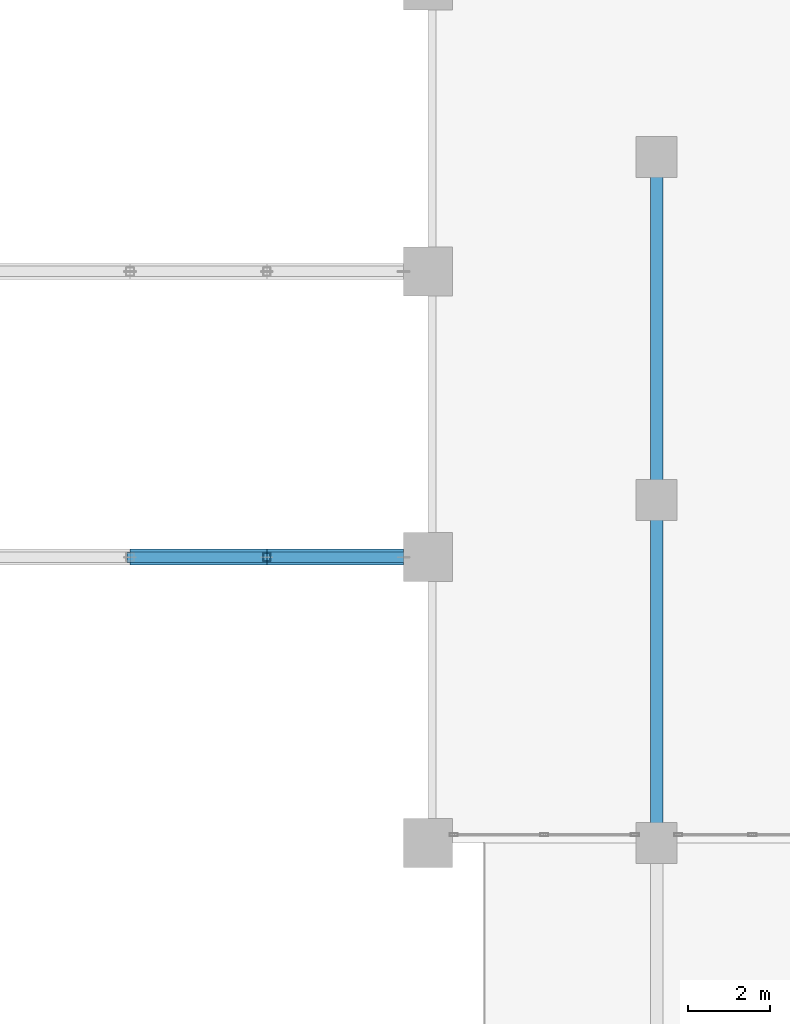
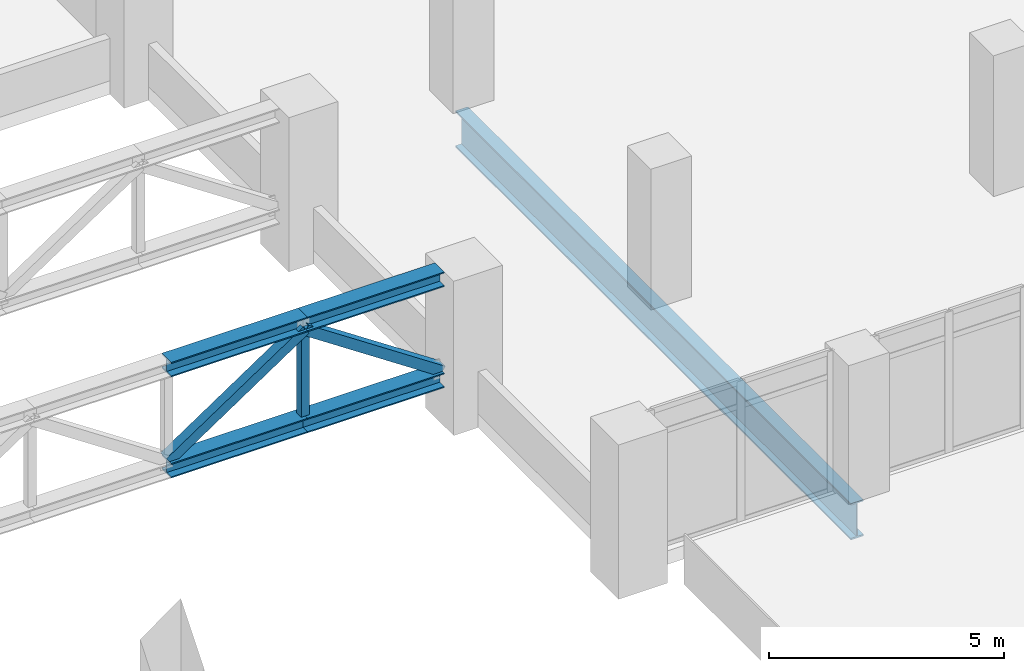
# One storey, part 4 of 24: 7 members, 1 beam.
"""IFC4 building model written with IfcOpenShell, lengths in metres."""

from ifc_helpers import new_model, si_unit, direction, frame, origin, origin_2d, place, context, subcontext, project, spatial, hollow_rectangle, i_section, extrude, material, material_profile, profile_set, type_object, element, save


model = new_model("IFC4")

# Units and contexts
model_context = context("Model", 3, precision=1e-05, world=origin(), true_north=direction((0.0, 1.0)))
body_context = subcontext(model_context, "Body", "Model", "MODEL_VIEW")
ifc_project = project(units=[si_unit("LENGTHUNIT", "METRE"), si_unit("AREAUNIT", "SQUARE_METRE"), si_unit("VOLUMEUNIT", "CUBIC_METRE"), si_unit("PLANEANGLEUNIT", "RADIAN"), si_unit("MASSUNIT", "GRAM", prefix="KILO")], contexts=[model_context])

# Site, building, storey
site_placement = place(None, origin())
site = spatial("IfcSite", under=ifc_project, at=site_placement, CompositionType="ELEMENT")
building_placement = place(site_placement, origin())
building = spatial("IfcBuilding", under=site, at=building_placement, Name="Ostrander Bayou Hotel Tower", CompositionType="ELEMENT")
storey_placement = place(building_placement, frame((0.0, 0.0, 6.0)))
storey = spatial("IfcBuildingStorey", under=building, at=storey_placement, Name="L01", CompositionType="ELEMENT", Elevation=6.0)

# Members
ifc_material_1 = material(Name="Steel ASTM A992", Category="steel")
ifc_material_profile_1 = material_profile(ifc_material_1, i_section(OverallWidth=0.3955078125, OverallDepth=0.38037109375, WebThickness=0.01904296875, FlangeThickness=0.0302734375, at=origin_2d()))
ifc_profile_set_1 = profile_set([ifc_material_profile_1], Name="Steel ASTM A992")
member_type_1 = type_object("IfcMemberType", Name="BR1 ballroom truss chord W14x159", PredefinedType="CHORD", material=ifc_profile_set_1)
for number, where, z_axis, x_axis, name in (
    (1, (-21.300048828125, -43.39990234375, 0.840087890625), (1.0, 0.0, 0.0), (0.0, 1.0, 0.0), "BR1 T1 B7"),
    (2, (-21.300048828125, -43.39990234375, 3.459716796875), (1.0, 0.0, 0.0), (0.0, 1.0, 0.0), "BR1 T1 T7"),
):
    element("IfcMember", number, at=place(storey_placement, frame(where, z_axis=z_axis, x_axis=x_axis)), inside=storey, type_object=member_type_1, Name=name, PredefinedType="CHORD", context=body_context, shape_type="SweptSolid", body=[
        extrude(i_section(OverallWidth=0.3955078125, OverallDepth=0.38037109375, WebThickness=0.01904296875, FlangeThickness=0.0302734375, at=origin_2d()), origin(), (0.0, 0.0, 1.0), 3.35009765625),
    ])
for number, where, z_axis, x_axis, name in (
    (3, (-17.949951171875, -43.39990234375, 0.840087890625), (1.0, 0.0, 0.0), (0.0, 1.0, 0.0), "BR1 T1 B8"),
    (4, (-17.949951171875, -43.39990234375, 3.459716796875), (1.0, 0.0, 0.0), (0.0, 1.0, 0.0), "BR1 T1 T8"),
):
    element("IfcMember", number, at=place(storey_placement, frame(where, z_axis=z_axis, x_axis=x_axis)), inside=storey, type_object=member_type_1, Name=name, PredefinedType="CHORD", context=body_context, shape_type="SweptSolid", body=[
        extrude(i_section(OverallWidth=0.3955078125, OverallDepth=0.38037109375, WebThickness=0.01904296875, FlangeThickness=0.0302734375, at=origin_2d()), origin(), (0.0, 0.0, 1.0), 3.349853515625),
    ])
ifc_material_2 = material(Name="Steel ASTM A500 Gr C", Category="steel")
ifc_material_profile_2 = material_profile(ifc_material_2, hollow_rectangle(XDim=0.25390625, YDim=0.25390625, WallThickness=0.01171875, at=origin_2d()))
ifc_profile_set_2 = profile_set([ifc_material_profile_2], Name="Steel ASTM A500 Gr C")
member_type_2 = type_object("IfcMemberType", Name="BR2 ballroom truss diagonal HSS10x10x1/2", PredefinedType="BRACE", material=ifc_profile_set_2)
member_1_placement = place(storey_placement, frame((-21.300048828125, -43.39990234375, 1.030517578125), z_axis=(0.831406556146, 0.0, 0.555664591635), x_axis=(0.0, 1.0, 0.0)))
element("IfcMember", 5, at=member_1_placement, inside=storey, type_object=member_type_2, Name="BR2 T1 D7", PredefinedType="BRACE", context=body_context, shape_type="SweptSolid", body=[
    extrude(hollow_rectangle(XDim=0.25390625, YDim=0.25390625, WallThickness=0.01171875, at=origin_2d()), origin(), (0.0, 0.0, 1.0), 4.029541015625),
])
member_2_placement = place(storey_placement, frame((-14.60009765625, -43.39990234375, 1.030517578125), z_axis=(-0.831387846986, 0.0, 0.555692583974), x_axis=(0.0, -1.0, 0.0)))
element("IfcMember", 6, at=member_2_placement, inside=storey, type_object=member_type_2, Name="BR2 T1 D8", PredefinedType="BRACE", context=body_context, shape_type="SweptSolid", body=[
    extrude(hollow_rectangle(XDim=0.25390625, YDim=0.25390625, WallThickness=0.01171875, at=origin_2d()), origin(), (0.0, 0.0, 1.0), 4.029296875),
])
ifc_material_3 = material(Name="Steel ASTM A500 Gr C", Category="steel")
ifc_material_profile_3 = material_profile(ifc_material_3, hollow_rectangle(XDim=0.203125, YDim=0.203125, WallThickness=0.01171875, at=origin_2d()))
ifc_profile_set_3 = profile_set([ifc_material_profile_3], Name="Steel ASTM A500 Gr C")
member_type_3 = type_object("IfcMemberType", Name="BR3 ballroom truss post HSS8x8x1/2", PredefinedType="POST", material=ifc_profile_set_3)
member_3_placement = place(storey_placement, frame((-17.949951171875, -43.39990234375, 1.030517578125), z_axis=(0.0, 0.0, 1.0), x_axis=(1.0, 0.0, 0.0)))
element("IfcMember", 7, at=member_3_placement, inside=storey, type_object=member_type_3, Name="BR3 T1 P7", PredefinedType="POST", context=body_context, shape_type="SweptSolid", body=[
    extrude(hollow_rectangle(XDim=0.203125, YDim=0.203125, WallThickness=0.01171875, at=origin_2d()), origin(), (0.0, 0.0, 1.0), 2.239013671875),
])

# Beam
ifc_material_4 = material(Name="Steel ASTM A992", Category="steel")
ifc_material_profile_4 = material_profile(ifc_material_4, i_section(OverallWidth=0.307861328125, OverallDepth=0.94287109375, WebThickness=0.022216796875, FlangeThickness=0.039794921875, at=origin_2d()))
ifc_profile_set_4 = profile_set([ifc_material_profile_4], Name="Steel ASTM A992")
beam_type = type_object("IfcBeamType", Name="CG1 canopy girder W36x232", PredefinedType="BEAM", material=ifc_profile_set_4)
beam_placement = place(storey_placement, frame((-8.39990234375, -33.60009765625, -0.8212890625), z_axis=(0.0, -1.0, 0.0), x_axis=(1.0, 0.0, 0.0)))
element("IfcBeam", 8, at=beam_placement, inside=storey, type_object=beam_type, Name="CG1 G1 back span", PredefinedType="BEAM", context=body_context, shape_type="SweptSolid", body=[
    extrude(i_section(OverallWidth=0.307861328125, OverallDepth=0.94287109375, WebThickness=0.022216796875, FlangeThickness=0.039794921875, at=origin_2d()), origin(), (0.0, 0.0, 1.0), 16.7998046875),
])

save(model, "model.ifc")
